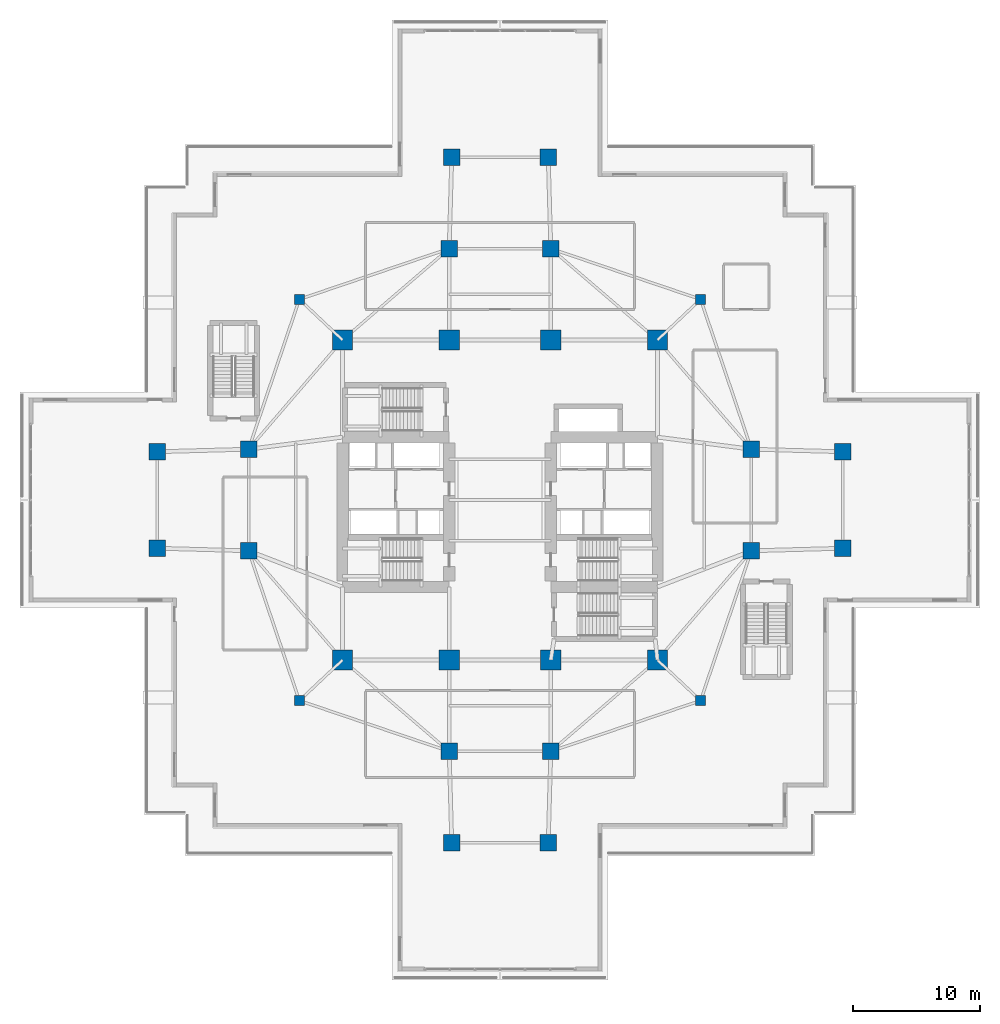
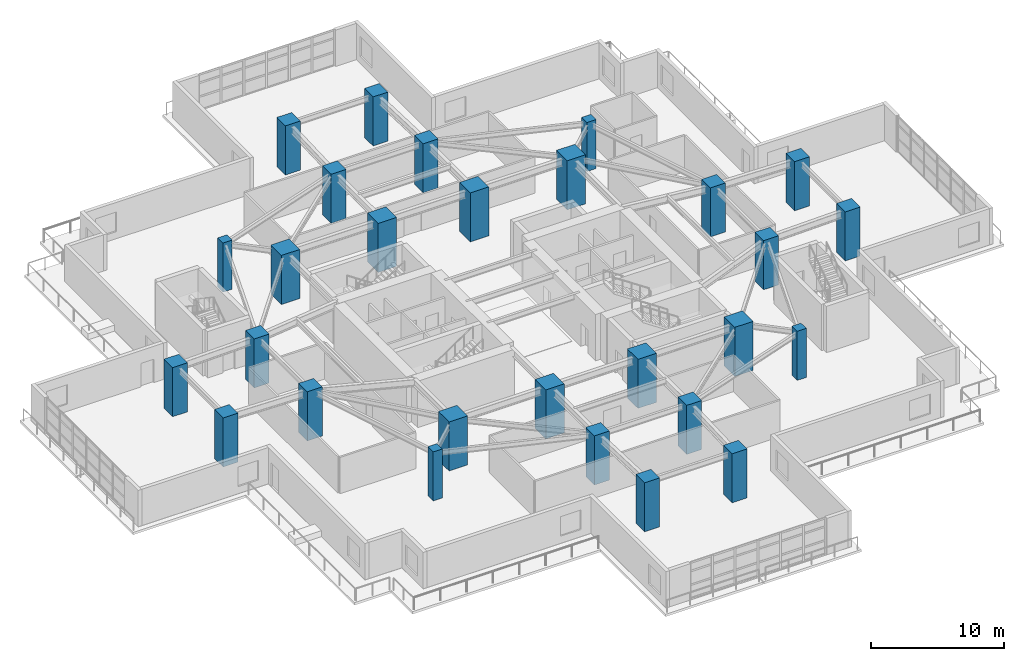
# One storey, part 1 of 24: 28 columns.
"""IFC4 building model written with IfcOpenShell, lengths in metres."""

from ifc_helpers import new_model, si_unit, direction, frame, origin, origin_2d, place, context, subcontext, project, spatial, rectangle, extrude, material, material_profile, profile_set, type_object, element, save


model = new_model("IFC4")

# Units and contexts
model_context = context("Model", 3, precision=1e-05, world=origin(), true_north=direction((0.0, 1.0)))
body_context = subcontext(model_context, "Body", "Model", "MODEL_VIEW")
ifc_project = project(units=[si_unit("LENGTHUNIT", "METRE"), si_unit("AREAUNIT", "SQUARE_METRE"), si_unit("VOLUMEUNIT", "CUBIC_METRE"), si_unit("PLANEANGLEUNIT", "RADIAN"), si_unit("MASSUNIT", "GRAM", prefix="KILO")], contexts=[model_context])

# Site, building, storey
site_placement = place(None, origin())
site = spatial("IfcSite", under=ifc_project, at=site_placement, CompositionType="ELEMENT")
building_placement = place(site_placement, origin())
building = spatial("IfcBuilding", under=site, at=building_placement, Name="Qingluan Cross Belvedere", CompositionType="ELEMENT")
storey_placement = place(building_placement, frame((0.0, 0.0, 14.699951171875)))
storey = spatial("IfcBuildingStorey", under=building, at=storey_placement, Name="L04", CompositionType="ELEMENT", Elevation=14.699951171875)

# Columns
ifc_material_1 = material(Name="Concrete C60", Category="concrete")
ifc_material_profile_1 = material_profile(ifc_material_1, rectangle(XDim=1.300048828125, YDim=1.300048828125, at=origin_2d()), Name="RC1300x1300")
ifc_profile_set_1 = profile_set([ifc_material_profile_1], Name="Concrete C60")
column_type_1 = type_object("IfcColumnType", Name="Column_RC1300x1300", PredefinedType="COLUMN", material=ifc_profile_set_1)
for number, where, z_axis, x_axis, name in (
    (1, (19.800048828125, -4.0, 0.0), (0.0, 0.0, 1.0), (1.0, 0.0, 0.0), "Arm column L04-EIA"),
    (2, (19.800048828125, 4.0, 0.0), (0.0, 0.0, 1.0), (1.0, 0.0, 0.0), "Arm column L04-EIB"),
    (3, (-19.800048828125, -4.0, 0.0), (0.0, 0.0, 1.0), (1.0, 0.0, 0.0), "Arm column L04-WIA"),
    (4, (-19.800048828125, 4.0, 0.0), (0.0, 0.0, 1.0), (1.0, 0.0, 0.0), "Arm column L04-WIB"),
    (5, (-4.0, -19.800048828125, 0.0), (0.0, 0.0, 1.0), (1.0, 0.0, 0.0), "Arm column L04-SIA"),
    (6, (4.0, -19.800048828125, 0.0), (0.0, 0.0, 1.0), (1.0, 0.0, 0.0), "Arm column L04-SIB"),
    (7, (-4.0, 19.800048828125, 0.0), (0.0, 0.0, 1.0), (1.0, 0.0, 0.0), "Arm column L04-NIA"),
    (8, (4.0, 19.800048828125, 0.0), (0.0, 0.0, 1.0), (1.0, 0.0, 0.0), "Arm column L04-NIB"),
    (9, (27.0, -3.800048828125, 0.0), (0.0, 0.0, 1.0), (1.0, 0.0, 0.0), "Arm column L04-EOA"),
    (10, (27.0, 3.800048828125, 0.0), (0.0, 0.0, 1.0), (1.0, 0.0, 0.0), "Arm column L04-EOB"),
    (11, (-27.0, -3.800048828125, 0.0), (0.0, 0.0, 1.0), (1.0, 0.0, 0.0), "Arm column L04-WOA"),
    (12, (-27.0, 3.800048828125, 0.0), (0.0, 0.0, 1.0), (1.0, 0.0, 0.0), "Arm column L04-WOB"),
    (13, (-3.800048828125, -27.0, 0.0), (0.0, 0.0, 1.0), (1.0, 0.0, 0.0), "Arm column L04-SOA"),
    (14, (3.800048828125, -27.0, 0.0), (0.0, 0.0, 1.0), (1.0, 0.0, 0.0), "Arm column L04-SOB"),
    (15, (-3.800048828125, 27.0, 0.0), (0.0, 0.0, 1.0), (1.0, 0.0, 0.0), "Arm column L04-NOA"),
    (16, (3.800048828125, 27.0, 0.0), (0.0, 0.0, 1.0), (1.0, 0.0, 0.0), "Arm column L04-NOB"),
):
    element("IfcColumn", number, at=place(storey_placement, frame(where, z_axis=z_axis, x_axis=x_axis)), inside=storey, type_object=column_type_1, Name=name, PredefinedType="COLUMN", context=body_context, shape_type="SweptSolid", body=[
        extrude(rectangle(XDim=1.300048828125, YDim=1.300048828125, at=origin_2d()), origin(), (0.0, 0.0, 1.0), 4.5),
    ])
ifc_material_2 = material(Name="Concrete C70", Category="concrete")
ifc_material_profile_2 = material_profile(ifc_material_2, rectangle(XDim=1.60009765625, YDim=1.60009765625, at=origin_2d()), Name="RC1600x1600")
ifc_profile_set_2 = profile_set([ifc_material_profile_2], Name="Concrete C70")
column_type_2 = type_object("IfcColumnType", Name="Column_RC1600x1600", PredefinedType="COLUMN", material=ifc_profile_set_2)
for number, where, z_axis, x_axis, name in (
    (17, (-12.39990234375, -12.60009765625, 0.0), (0.0, 0.0, 1.0), (1.0, 0.0, 0.0), "Hub column L04-HC1"),
    (18, (12.39990234375, -12.60009765625, 0.0), (0.0, 0.0, 1.0), (1.0, 0.0, 0.0), "Hub column L04-HC2"),
    (19, (12.39990234375, 12.60009765625, 0.0), (0.0, 0.0, 1.0), (1.0, 0.0, 0.0), "Hub column L04-HC3"),
    (20, (-12.39990234375, 12.60009765625, 0.0), (0.0, 0.0, 1.0), (1.0, 0.0, 0.0), "Hub column L04-HC4"),
    (21, (-4.0, -12.60009765625, 0.0), (0.0, 0.0, 1.0), (1.0, 0.0, 0.0), "Hub column L04-HC5"),
    (22, (4.0, -12.60009765625, 0.0), (0.0, 0.0, 1.0), (1.0, 0.0, 0.0), "Hub column L04-HC6"),
    (23, (4.0, 12.60009765625, 0.0), (0.0, 0.0, 1.0), (1.0, 0.0, 0.0), "Hub column L04-HC7"),
    (24, (-4.0, 12.60009765625, 0.0), (0.0, 0.0, 1.0), (1.0, 0.0, 0.0), "Hub column L04-HC8"),
):
    element("IfcColumn", number, at=place(storey_placement, frame(where, z_axis=z_axis, x_axis=x_axis)), inside=storey, type_object=column_type_2, Name=name, PredefinedType="COLUMN", context=body_context, shape_type="SweptSolid", body=[
        extrude(rectangle(XDim=1.60009765625, YDim=1.60009765625, at=origin_2d()), origin(), (0.0, 0.0, 1.0), 4.5),
    ])
ifc_material_3 = material(Name="Concrete C50", Category="concrete")
ifc_material_profile_3 = material_profile(ifc_material_3, rectangle(XDim=0.800048828125, YDim=0.800048828125, at=origin_2d()), Name="RC800x800")
ifc_profile_set_3 = profile_set([ifc_material_profile_3], Name="Concrete C50")
column_type_3 = type_object("IfcColumnType", Name="Column_RC800x800", PredefinedType="COLUMN", material=ifc_profile_set_3)
for number, where, z_axis, x_axis, name in (
    (25, (15.800048828125, 15.800048828125, 0.0), (0.0, 0.0, 1.0), (1.0, 0.0, 0.0), "Corner column L04-RNE"),
    (26, (-15.800048828125, 15.800048828125, 0.0), (0.0, 0.0, 1.0), (1.0, 0.0, 0.0), "Corner column L04-RNW"),
    (27, (-15.800048828125, -15.800048828125, 0.0), (0.0, 0.0, 1.0), (1.0, 0.0, 0.0), "Corner column L04-RSW"),
    (28, (15.800048828125, -15.800048828125, 0.0), (0.0, 0.0, 1.0), (1.0, 0.0, 0.0), "Corner column L04-RSE"),
):
    element("IfcColumn", number, at=place(storey_placement, frame(where, z_axis=z_axis, x_axis=x_axis)), inside=storey, type_object=column_type_3, Name=name, PredefinedType="COLUMN", context=body_context, shape_type="SweptSolid", body=[
        extrude(rectangle(XDim=0.800048828125, YDim=0.800048828125, at=origin_2d()), origin(), (0.0, 0.0, 1.0), 4.5),
    ])

save(model, "model.ifc")
